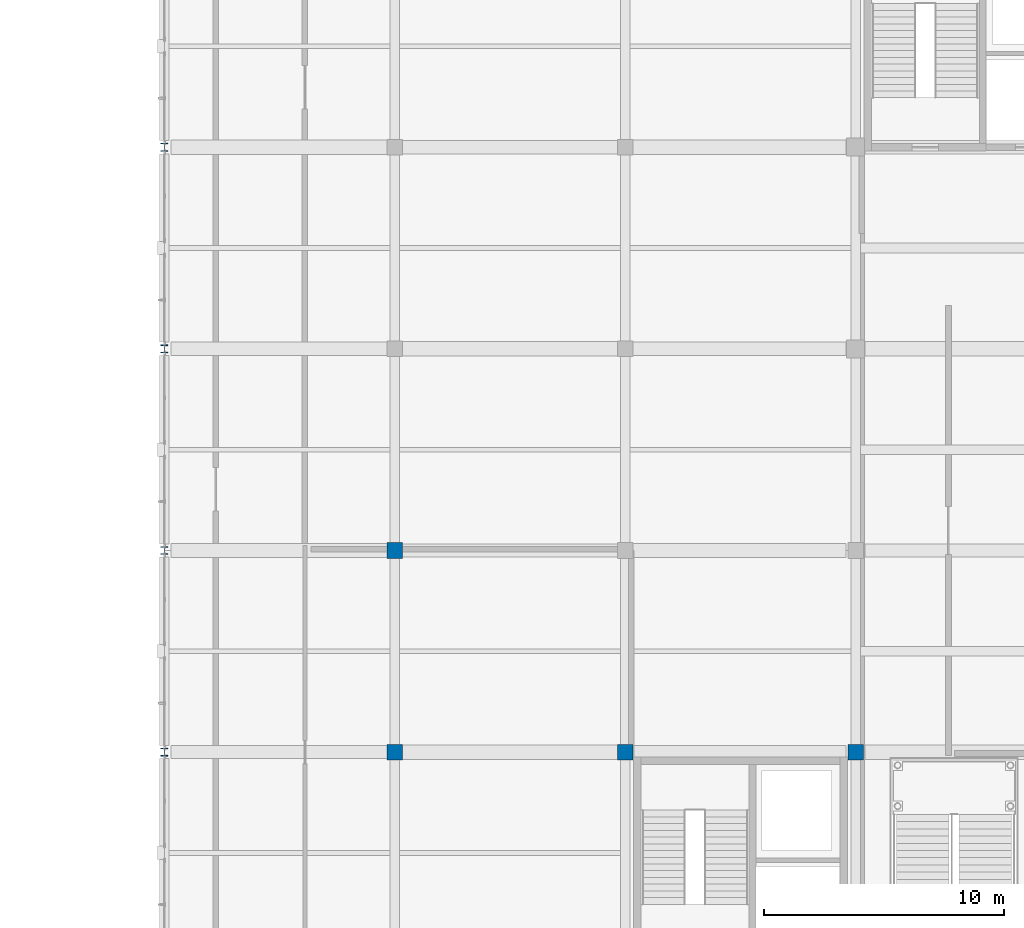
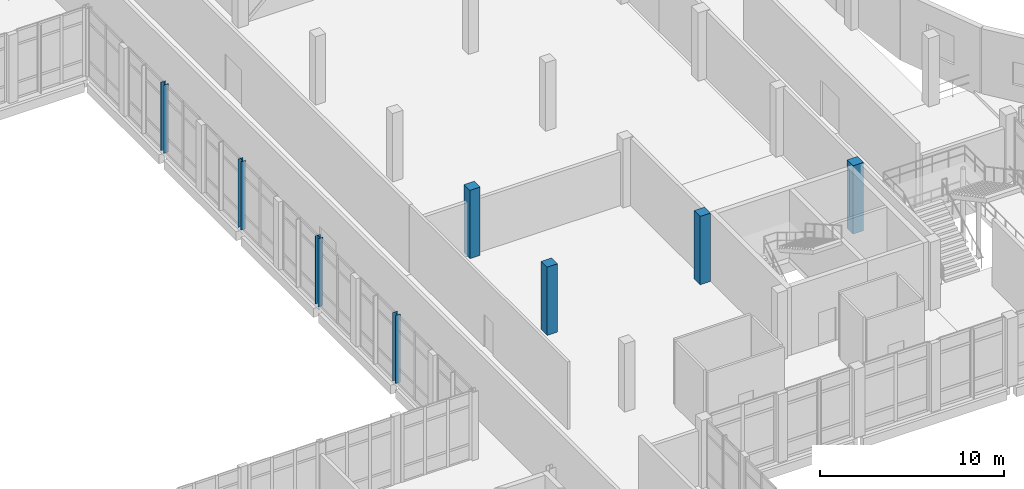
# One storey, part 3 of 102: 8 columns.
"""IFC4 building model written with IfcOpenShell, lengths in metres."""

from ifc_helpers import new_model, si_unit, direction, frame, origin, origin_2d, place, context, subcontext, project, spatial, rectangle, i_section, extrude, material, material_profile, profile_set, type_object, element, save


model = new_model("IFC4")

# Units and contexts
model_context = context("Model", 3, precision=1e-05, world=origin(), true_north=direction((0.0, 1.0)))
body_context = subcontext(model_context, "Body", "Model", "MODEL_VIEW")
ifc_project = project(units=[si_unit("LENGTHUNIT", "METRE"), si_unit("AREAUNIT", "SQUARE_METRE"), si_unit("VOLUMEUNIT", "CUBIC_METRE"), si_unit("PLANEANGLEUNIT", "RADIAN"), si_unit("MASSUNIT", "GRAM", prefix="KILO")], contexts=[model_context])

# Site, building, storey
site_placement = place(None, origin())
site = spatial("IfcSite", under=ifc_project, at=site_placement, CompositionType="ELEMENT")
building_placement = place(site_placement, origin())
building = spatial("IfcBuilding", under=site, at=building_placement, Name="Lornevale Opera House", CompositionType="ELEMENT")
storey_placement = place(building_placement, frame((0.0, 0.0, 5.39990234375)))
storey = spatial("IfcBuildingStorey", under=building, at=storey_placement, Name="L02", CompositionType="ELEMENT", Elevation=5.39990234375)

# Columns
ifc_material_1 = material(Name="Concrete 40 MPa (CSA A23.1 C-1)", Category="concrete")
ifc_material_profile_1 = material_profile(ifc_material_1, rectangle(XDim=0.64990234375, YDim=0.64990234375, at=origin_2d()), Name="RC650x650")
ifc_profile_set_1 = profile_set([ifc_material_profile_1], Name="Concrete 40 MPa (CSA A23.1 C-1)")
column_type_1 = type_object("IfcColumnType", Name="Concrete Column 650x650", PredefinedType="COLUMN", material=ifc_profile_set_1)
for number, where, z_axis, x_axis, name in (
    (1, (38.39990234375, 33.60009765625, 0.0), (0.0, 0.0, 1.0), (1.0, 0.0, 0.0), "Concrete Column 650x650 0238"),
    (2, (38.39990234375, 42.0, 0.0), (0.0, 0.0, 1.0), (1.0, 0.0, 0.0), "Concrete Column 650x650 0243"),
):
    element("IfcColumn", number, at=place(storey_placement, frame(where, z_axis=z_axis, x_axis=x_axis)), inside=storey, type_object=column_type_1, Name=name, PredefinedType="COLUMN", context=body_context, shape_type="SweptSolid", body=[
        extrude(rectangle(XDim=0.64990234375, YDim=0.64990234375, at=origin_2d()), origin(), (0.0, 0.0, 1.0), 4.530029296875),
    ])
for number, where, z_axis, x_axis, name in (
    (3, (48.0, 33.60009765625, 0.0), (0.0, 0.0, 1.0), (1.0, 0.0, 0.0), "Concrete Column 650x650 0302"),
    (4, (57.60009765625, 33.60009765625, 0.0), (0.0, 0.0, 1.0), (1.0, 0.0, 0.0), "Concrete Column 650x650 0365"),
):
    element("IfcColumn", number, at=place(storey_placement, frame(where, z_axis=z_axis, x_axis=x_axis)), inside=storey, type_object=column_type_1, Name=name, PredefinedType="COLUMN", context=body_context, shape_type="SweptSolid", body=[
        extrude(rectangle(XDim=0.64990234375, YDim=0.64990234375, at=origin_2d()), origin(), (0.0, 0.0, 1.0), 4.5400390625),
    ])
ifc_material_2 = material(Name="Structural Steel CSA G40.21 Grade 350W (350 MPa)", Category="steel")
ifc_material_profile_2 = material_profile(ifc_material_2, i_section(OverallWidth=0.30908203125, OverallDepth=0.322998046875, WebThickness=0.013916015625, FlangeThickness=0.02294921875, at=origin_2d()), Name="W310x143")
ifc_profile_set_2 = profile_set([ifc_material_profile_2], Name="Structural Steel CSA G40.21 Grade 350W (350 MPa)")
column_type_2 = type_object("IfcColumnType", Name="Steel Clerestory Post W310x143", PredefinedType="COLUMN", material=ifc_profile_set_2)
for number, where, z_axis, x_axis, name in (
    (5, (28.800048828125, 33.60009765625, 0.0), (0.0, 0.0, 1.0), (1.0, 0.0, 0.0), "Steel Clerestory Post W310x143 0177"),
    (6, (28.800048828125, 42.0, 0.0), (0.0, 0.0, 1.0), (1.0, 0.0, 0.0), "Steel Clerestory Post W310x143 0181"),
    (7, (28.800048828125, 50.39990234375, 0.0), (0.0, 0.0, 1.0), (1.0, 0.0, 0.0), "Steel Clerestory Post W310x143 0185"),
    (8, (28.800048828125, 58.800048828125, 0.0), (0.0, 0.0, 1.0), (1.0, 0.0, 0.0), "Steel Clerestory Post W310x143 0189"),
):
    element("IfcColumn", number, at=place(storey_placement, frame(where, z_axis=z_axis, x_axis=x_axis)), inside=storey, type_object=column_type_2, Name=name, PredefinedType="COLUMN", context=body_context, shape_type="SweptSolid", body=[
        extrude(i_section(OverallWidth=0.30908203125, OverallDepth=0.322998046875, WebThickness=0.013916015625, FlangeThickness=0.02294921875, at=origin_2d()), origin(), (0.0, 0.0, 1.0), 4.530029296875),
    ])

save(model, "model.ifc")
